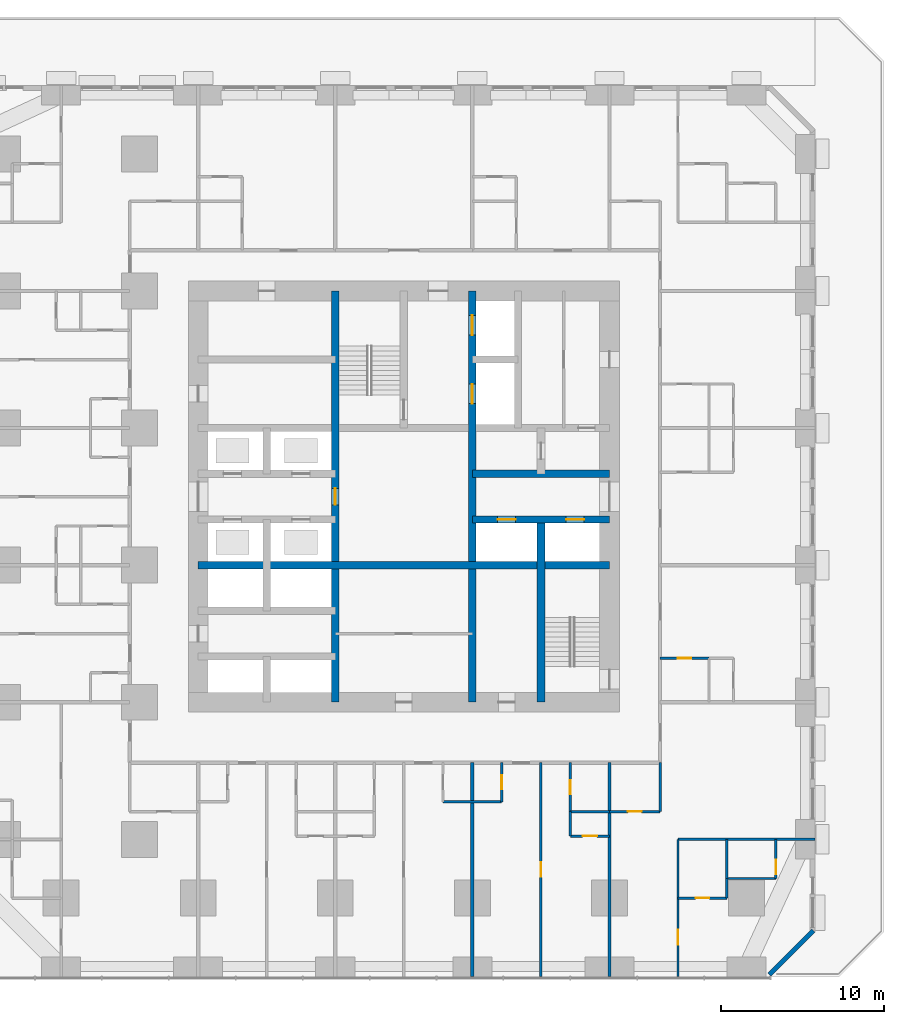
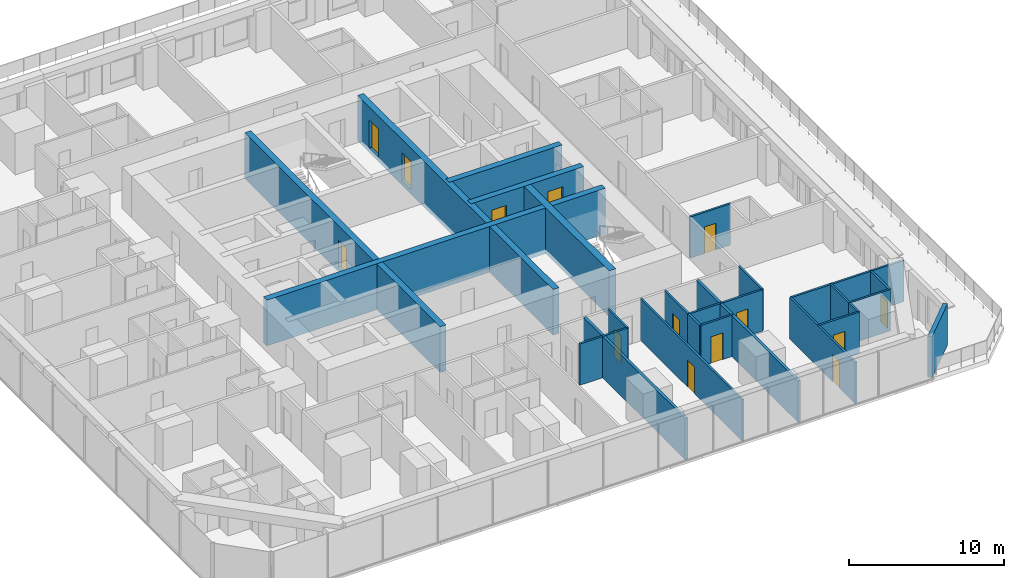
# One storey, part 9 of 16: 26 walls, 14 doors, 14 openings.
"""IFC4 building model written with IfcOpenShell, lengths in metres."""

import ifcopenshell
import ifcopenshell.guid

model = None  # the IFC model being written
_history = None  # IfcOwnerHistory: only IFC2X3 demands one
_inside = {}  # id of a spatial element -> (the spatial element, [elements in it])
_under = {}  # id of a project, library or spatial element -> (it, [spatial elements below it])
_declared = {}  # id of a project -> (the project, [libraries it declares])
_typed = {}  # id of a type object -> (the type object, [elements of that type])
_made_of = {}  # id of a material, layer set ... -> (it, [elements and type objects made of it])


def new_model(schema):
    """Start an empty IFC model of exactly this schema.

    Asked for "IFC4X3", IfcOpenShell would pick the latest addendum, in which some entities
    have other attributes; the version numbers below select the first issue.
    IFC2X3 requires an IfcOwnerHistory on every rooted entity: one is made here for all.
    """
    global model, _history
    if schema == "IFC4X3":
        model = ifcopenshell.file(schema_version=(4, 3, 0, 0))
    else:
        model = ifcopenshell.file(schema=schema)
    _inside.clear()
    _under.clear()
    _declared.clear()
    _typed.clear()
    _made_of.clear()
    _history = None
    if model.schema == "IFC2X3":
        org = make("IfcOrganization", Name="unknown")
        user = make(
            "IfcPersonAndOrganization",
            ThePerson=make("IfcPerson", FamilyName="unknown"),
            TheOrganization=org,
        )
        app = make(
            "IfcApplication",
            ApplicationDeveloper=org,
            Version="unknown",
            ApplicationFullName="unknown",
            ApplicationIdentifier="unknown",
        )
        _history = make(
            "IfcOwnerHistory",
            OwningUser=user,
            OwningApplication=app,
            ChangeAction="ADDED",
            CreationDate=0,
        )
    return model


def make(cls, **values):
    """One entity of the class cls with the attributes given. An attribute that is None is left unset."""
    return model.create_entity(
        cls, **{name: value for name, value in values.items() if value is not None}
    )


def rooted(cls, **values):
    """An entity with a GlobalId (a new one), such as an element, a storey or a relation."""
    return make(cls, GlobalId=ifcopenshell.guid.new(), OwnerHistory=_history, **values)


def si_unit(unit_type, name, prefix=None):
    """IfcSIUnit, for example si_unit("LENGTHUNIT", "METRE", prefix="MILLI")."""
    return make("IfcSIUnit", UnitType=unit_type, Prefix=prefix, Name=name)


def assignment(units):
    """IfcUnitAssignment: the units of a project."""
    return None if units is None else make("IfcUnitAssignment", Units=units)


def point(xyz):
    """IfcCartesianPoint."""
    return None if xyz is None else make("IfcCartesianPoint", Coordinates=xyz)


def direction(xyz):
    """IfcDirection."""
    return None if xyz is None else make("IfcDirection", DirectionRatios=xyz)


def frame(location, z_axis=None, x_axis=None):
    """IfcAxis2Placement3D, a coordinate frame: its origin and axes. An axis left out is left unset."""
    return make(
        "IfcAxis2Placement3D",
        Location=point(location),
        Axis=direction(z_axis),
        RefDirection=direction(x_axis),
    )


def frame_2d(location, x_axis=None):
    """IfcAxis2Placement2D, a coordinate frame in the plane: its origin and x axis."""
    return make(
        "IfcAxis2Placement2D", Location=point(location), RefDirection=direction(x_axis)
    )


def origin():
    """The frame at (0, 0, 0) with its axes left unset."""
    return frame((0.0, 0.0, 0.0))


def place(relative_to, where):
    """IfcLocalPlacement: puts the frame where relative to a parent placement (None: the world)."""
    return make(
        "IfcLocalPlacement", PlacementRelTo=relative_to, RelativePlacement=where
    )


def context(
    kind, dimensions, precision=None, world=None, true_north=None, identifier=None
):
    """IfcGeometricRepresentationContext, for example the 3D "Model" context."""
    return make(
        "IfcGeometricRepresentationContext",
        ContextIdentifier=identifier,
        ContextType=kind,
        CoordinateSpaceDimension=dimensions,
        Precision=precision,
        WorldCoordinateSystem=world,
        TrueNorth=true_north,
    )


def subcontext(parent, identifier, kind, view, scale=None):
    """IfcGeometricRepresentationSubContext, for example "Body" below "Model"."""
    return make(
        "IfcGeometricRepresentationSubContext",
        ContextIdentifier=identifier,
        ContextType=kind,
        ParentContext=parent,
        TargetScale=scale,
        TargetView=view,
    )


def project(units=None, contexts=None):
    """IfcProject with its units and contexts."""
    return rooted(
        "IfcProject",
        Name="project",
        RepresentationContexts=contexts,
        UnitsInContext=assignment(units),
    )


def spatial(cls, under=None, at=None, **own):
    """A site, building, storey or space (cls), placed at a placement, below another one or the project."""
    s = rooted(cls, ObjectPlacement=at, **own)
    if under is not None:
        _under.setdefault(under.id(), (under, []))[1].append(s)
    return s


def profile(cls, at=None, kind="AREA", **sizes):
    """A parametric profile (cls). Its sizes go by their IFC names, for example OverallWidth=200.0."""
    return make(cls, ProfileType=kind, Position=at, **sizes)


def rectangle(**sizes):
    """IfcRectangleProfileDef."""
    return profile("IfcRectangleProfileDef", **sizes)


def extrude(swept, where, along, depth):
    """IfcExtrudedAreaSolid: the profile swept, set in the frame where, extruded along a direction by depth."""
    return make(
        "IfcExtrudedAreaSolid",
        SweptArea=swept,
        Position=where,
        ExtrudedDirection=direction(along),
        Depth=depth,
    )


def shape(context_of_items, identifier, shape_type, items):
    """IfcShapeRepresentation: the items that make up one representation, for example the "Body"."""
    return make(
        "IfcShapeRepresentation",
        ContextOfItems=context_of_items,
        RepresentationIdentifier=identifier,
        RepresentationType=shape_type,
        Items=items,
    )


def material(Name=None, Category=None):
    """IfcMaterial."""
    return make("IfcMaterial", Name=Name, Category=Category)


def layer(
    of_material, thickness, ventilated=None, Name=None, Category=None, Priority=None
):
    """IfcMaterialLayer: one layer of a wall or slab, of a material (None: an air gap)."""
    return make(
        "IfcMaterialLayer",
        Material=of_material,
        LayerThickness=thickness,
        IsVentilated=ventilated,
        Name=Name,
        Category=Category,
        Priority=Priority,
    )


def layer_set(layers, Name=None):
    """IfcMaterialLayerSet."""
    return make("IfcMaterialLayerSet", MaterialLayers=layers, LayerSetName=Name)


def made_of(thing, what):
    """Note that an element or type object is made of a material, layer set ...; save() writes the relation."""
    if what is not None:
        _made_of.setdefault(what.id(), (what, []))[1].append(thing)
    return thing


def type_object(cls, material=None, **own):
    """A type object (cls), such as IfcWallType, which elements share."""
    return made_of(rooted(cls, **own), material)


def element(
    cls,
    number,
    at=None,
    inside=None,
    cuts=None,
    type_object=None,
    material=None,
    context=None,
    identifier="Body",
    shape_type=None,
    held_by="IfcProductDefinitionShape",
    body=None,
    shapes=None,
    **own,
):
    """One element of the class cls, such as IfcWall. Its Tag is "e" and its number.

    at: its placement. inside: the storey or other place that contains it. cuts: it is an
    opening in that element (IfcRelVoidsElement). A single representation is given by context,
    identifier, shape_type and body (its items); several are given by shapes. held_by: the class
    of the entity that holds the representations. save() writes the other relations.
    """
    e = rooted(cls, Tag="e%d" % number, ObjectPlacement=at, **own)
    if body is not None:
        shapes = [shape(context, identifier, shape_type, body)]
    if shapes is not None:
        e.Representation = make(held_by, Representations=shapes)
    if inside is not None:
        _inside.setdefault(inside.id(), (inside, []))[1].append(e)
    if cuts is not None:
        rooted(
            "IfcRelVoidsElement", RelatingBuildingElement=cuts, RelatedOpeningElement=e
        )
    if type_object is not None:
        _typed.setdefault(type_object.id(), (type_object, []))[1].append(e)
    return made_of(e, material)


def fill(opening, filler):
    """IfcRelFillsElement: the door or window that sits in an opening."""
    return rooted(
        "IfcRelFillsElement",
        RelatingOpeningElement=opening,
        RelatedBuildingElement=filler,
    )


def aggregate(whole, parts):
    """IfcRelAggregates: a whole, such as a stair, and the parts it consists of."""
    return rooted("IfcRelAggregates", RelatingObject=whole, RelatedObjects=parts)


def save(model, path):
    """Write the relations noted so far, then the file.

    IfcRelAggregates (storeys below a building ...), IfcRelContainedInSpatialStructure (elements
    in a storey), IfcRelDefinesByType, IfcRelAssociatesMaterial and IfcRelDeclares: one each for
    every whole, place, type object, material and project.
    """
    for whole, parts in _under.values():
        aggregate(whole, parts)
    for where, things in _inside.values():
        rooted(
            "IfcRelContainedInSpatialStructure",
            RelatedElements=things,
            RelatingStructure=where,
        )
    for kind, things in _typed.values():
        rooted("IfcRelDefinesByType", RelatedObjects=things, RelatingType=kind)
    for what, things in _made_of.values():
        rooted("IfcRelAssociatesMaterial", RelatedObjects=things, RelatingMaterial=what)
    for by, libraries in _declared.values():
        rooted("IfcRelDeclares", RelatingContext=by, RelatedDefinitions=libraries)
    model.write(path)


model = new_model("IFC4")

# Units and contexts
model_context = context("Model", 3, precision=1e-05, world=origin(), true_north=direction((0.0, 1.0)))
body_context = subcontext(model_context, "Body", "Model", "MODEL_VIEW")
ifc_project = project(units=[si_unit("LENGTHUNIT", "METRE"), si_unit("AREAUNIT", "SQUARE_METRE"), si_unit("VOLUMEUNIT", "CUBIC_METRE"), si_unit("PLANEANGLEUNIT", "RADIAN"), si_unit("MASSUNIT", "GRAM", prefix="KILO")], contexts=[model_context])

# Site, building, storey
site_placement = place(None, origin())
site = spatial("IfcSite", under=ifc_project, at=site_placement, CompositionType="ELEMENT")
building_placement = place(site_placement, origin())
building = spatial("IfcBuilding", under=site, at=building_placement, Name="Dunama Terrace Hotel", CompositionType="ELEMENT")
storey_placement = place(building_placement, frame((0.0, 0.0, 93.60009765625)))
storey = spatial("IfcBuildingStorey", under=building, at=storey_placement, Name="L23", CompositionType="ELEMENT", Elevation=93.60009765625)

# Wall, opening, door
ifc_material_1 = material(Name="Gypsum board partition", Category="masonry")
ifc_layer_1 = layer(ifc_material_1, 0.14990234375)
ifc_layer_set_1 = layer_set([ifc_layer_1], Name="Bathroom partition 150")
wall_type_1 = type_object("IfcWallType", Name="Bathroom partition 150", PredefinedType="PARTITIONING", material=ifc_layer_set_1)
wall_1_placement = place(storey_placement, frame((35.39990234375, 10.699951171875, 0.0), z_axis=(0.0, 0.0, 1.0), x_axis=(0.0, 1.0, 0.0)))
wall_1 = element("IfcWall", 1, at=wall_1_placement, inside=storey, type_object=wall_type_1, Name="Bathroom partition 150 L23", PredefinedType="PARTITIONING", context=body_context, shape_type="SweptSolid", body=[
    extrude(rectangle(XDim=2.400146484375, YDim=0.14990234375, at=frame_2d((1.2001953125, 0.0))), origin(), (0.0, 0.0, 1.0), 3.25),
])
opening_1_placement = place(wall_1_placement, frame((0.77490234375, 0.0, 0.0)))
opening_1 = element("IfcOpeningElement", 2, at=opening_1_placement, cuts=wall_1, Name="Opening L23-036", PredefinedType="OPENING", context=body_context, shape_type="SweptSolid", body=[
    extrude(rectangle(XDim=0.85009765625, YDim=2.10009765625, at=frame_2d((0.425048828125, 1.050048828125))), frame((0.0, 0.0849609375, 0.0), z_axis=(0.0, -1.0, 0.0), x_axis=(1.0, 0.0, 0.0)), (0.0, 0.0, 1.0), 0.169921875),
])
ifc_material_2 = material(Name="Timber door with steel frame", Category="steel")
door_type_1 = type_object("IfcDoorType", Name="Bathroom door 850", OperationType="SINGLE_SWING_LEFT", PredefinedType="DOOR", material=ifc_material_2)
door_1_placement = place(opening_1_placement, origin())
door_1 = element("IfcDoor", 3, at=door_1_placement, inside=storey, type_object=door_type_1, Name="Door to powder room L23-036, type D2", OperationType="SINGLE_SWING_RIGHT", OverallHeight=2.10009765625, OverallWidth=0.85009765625, PredefinedType="DOOR", context=body_context, shape_type="SweptSolid", body=[
    extrude(rectangle(XDim=0.85009765625, YDim=2.10009765625, at=frame_2d((0.425048828125, 1.050048828125))), frame((0.0, 0.02490234375, 0.0), z_axis=(0.0, -1.0, 0.0), x_axis=(1.0, 0.0, 0.0)), (0.0, 0.0, 1.0), 0.050048828125),
])
fill(opening_1, door_1)

wall_2_placement = place(storey_placement, frame((39.60009765625, 10.10009765625, 0.0), z_axis=(0.0, 0.0, 1.0), x_axis=(0.0, 1.0, 0.0)))
wall_2 = element("IfcWall", 4, at=wall_2_placement, inside=storey, type_object=wall_type_1, Name="Bathroom partition 150 L23", PredefinedType="PARTITIONING", context=body_context, shape_type="SweptSolid", body=[
    extrude(rectangle(XDim=3.0, YDim=0.14990234375, at=frame_2d((1.5, 0.0))), origin(), (0.0, 0.0, 1.0), 3.25),
])
opening_2_placement = place(wall_2_placement, frame((1.074951171875, 0.0, 0.0)))
opening_2 = element("IfcOpeningElement", 5, at=opening_2_placement, cuts=wall_2, Name="Opening L23-038", PredefinedType="OPENING", context=body_context, shape_type="SweptSolid", body=[
    extrude(rectangle(XDim=0.85009765625, YDim=2.10009765625, at=frame_2d((0.425048828125, 1.050048828125))), frame((0.0, 0.0849609375, 0.0), z_axis=(0.0, -1.0, 0.0), x_axis=(1.0, 0.0, 0.0)), (0.0, 0.0, 1.0), 0.169921875),
])
door_2_placement = place(opening_2_placement, frame((0.85009765625, 0.0, 0.0), z_axis=(0.0, 0.0, 1.0), x_axis=(-1.0, 0.0, 0.0)))
door_2 = element("IfcDoor", 6, at=door_2_placement, inside=storey, type_object=door_type_1, Name="Door to en-suite bathroom L23-038, type D2", OperationType="SINGLE_SWING_LEFT", OverallHeight=2.10009765625, OverallWidth=0.85009765625, PredefinedType="DOOR", context=body_context, shape_type="SweptSolid", body=[
    extrude(rectangle(XDim=0.85009765625, YDim=2.10009765625, at=frame_2d((0.425048828125, 1.050048828125))), frame((0.0, 0.025146484375, 0.0), z_axis=(0.0, -1.0, 0.0), x_axis=(1.0, 0.0, 0.0)), (0.0, 0.0, 1.0), 0.050048828125),
])
fill(opening_2, door_2)

# Walls
wall_3_placement = place(storey_placement, frame((45.10009765625, 10.10009765625, 0.0), z_axis=(0.0, 0.0, 1.0), x_axis=(0.0, 1.0, 0.0)))
element("IfcWall", 7, at=wall_3_placement, inside=storey, type_object=wall_type_1, Name="Bathroom partition 150 L23", PredefinedType="PARTITIONING", context=body_context, shape_type="SweptSolid", body=[
    extrude(rectangle(XDim=3.0, YDim=0.14990234375, at=frame_2d((1.5, 0.0))), origin(), (0.0, 0.0, 1.0), 3.25),
])
wall_4_placement = place(storey_placement, frame((49.199951171875, 4.800048828125, 0.0), z_axis=(0.0, 0.0, 1.0), x_axis=(0.0, 1.0, 0.0)))
element("IfcWall", 8, at=wall_4_placement, inside=storey, type_object=wall_type_1, Name="Bathroom partition 150 L23", PredefinedType="PARTITIONING", context=body_context, shape_type="SweptSolid", body=[
    extrude(rectangle(XDim=1.199951171875, YDim=0.14990234375, at=frame_2d((0.60009765625, 0.0))), origin(), (0.0, 0.0, 1.0), 3.25),
])

# Wall, opening, door
wall_5_placement = place(storey_placement, frame((46.199951171875, 4.800048828125, 0.0), z_axis=(0.0, 0.0, 1.0), x_axis=(1.0, 0.0, 0.0)))
wall_5 = element("IfcWall", 9, at=wall_5_placement, inside=storey, type_object=wall_type_1, Name="Bathroom partition 150 L23", PredefinedType="PARTITIONING", context=body_context, shape_type="SweptSolid", body=[
    extrude(rectangle(XDim=3.0, YDim=0.14990234375, at=frame_2d((1.5, 0.0))), origin(), (0.0, 0.0, 1.0), 3.25),
])
opening_3_placement = place(wall_5_placement, frame((1.074951171875, 0.0, 0.0)))
opening_3 = element("IfcOpeningElement", 10, at=opening_3_placement, cuts=wall_5, Name="Opening L23-080", PredefinedType="OPENING", context=body_context, shape_type="SweptSolid", body=[
    extrude(rectangle(XDim=0.85009765625, YDim=2.10009765625, at=frame_2d((0.425048828125, 1.050048828125))), frame((0.0, 0.0849609375, 0.0), z_axis=(0.0, -1.0, 0.0), x_axis=(1.0, 0.0, 0.0)), (0.0, 0.0, 1.0), 0.169921875),
])
door_3_placement = place(opening_3_placement, origin())
door_3 = element("IfcDoor", 11, at=door_3_placement, inside=storey, type_object=door_type_1, Name="Door to en-suite bathroom L23-080, type D2", OperationType="SINGLE_SWING_RIGHT", OverallHeight=2.10009765625, OverallWidth=0.85009765625, PredefinedType="DOOR", context=body_context, shape_type="SweptSolid", body=[
    extrude(rectangle(XDim=0.85009765625, YDim=2.10009765625, at=frame_2d((0.425048828125, 1.050048828125))), frame((0.0, 0.02490234375, 0.0), z_axis=(0.0, -1.0, 0.0), x_axis=(1.0, 0.0, 0.0)), (0.0, 0.0, 1.0), 0.050048828125),
])
fill(opening_3, door_3)

wall_6_placement = place(storey_placement, frame((42.0, 10.10009765625, 0.0), z_axis=(0.0, 0.0, 1.0), x_axis=(1.0, 0.0, 0.0)))
wall_6 = element("IfcWall", 12, at=wall_6_placement, inside=storey, type_object=wall_type_1, Name="Bathroom partition 150 L23", PredefinedType="PARTITIONING", context=body_context, shape_type="SweptSolid", body=[
    extrude(rectangle(XDim=3.10009765625, YDim=0.14990234375, at=frame_2d((1.550048828125, 0.0))), origin(), (0.0, 0.0, 1.0), 3.25),
])
opening_4_placement = place(wall_6_placement, frame((1.125, 0.0, 0.0)))
opening_4 = element("IfcOpeningElement", 13, at=opening_4_placement, cuts=wall_6, Name="Opening L23-078", PredefinedType="OPENING", context=body_context, shape_type="SweptSolid", body=[
    extrude(rectangle(XDim=0.85009765625, YDim=2.10009765625, at=frame_2d((0.425048828125, 1.050048828125))), frame((0.0, 0.0849609375, 0.0), z_axis=(0.0, -1.0, 0.0), x_axis=(1.0, 0.0, 0.0)), (0.0, 0.0, 1.0), 0.169921875),
])
door_4_placement = place(opening_4_placement, origin())
door_4 = element("IfcDoor", 14, at=door_4_placement, inside=storey, type_object=door_type_1, Name="Door to powder room L23-078, type D2", OperationType="SINGLE_SWING_LEFT", OverallHeight=2.10009765625, OverallWidth=0.85009765625, PredefinedType="DOOR", context=body_context, shape_type="SweptSolid", body=[
    extrude(rectangle(XDim=0.85009765625, YDim=2.10009765625, at=frame_2d((0.425048828125, 1.050048828125))), frame((0.0, 0.02490234375, 0.0), z_axis=(0.0, -1.0, 0.0), x_axis=(1.0, 0.0, 0.0)), (0.0, 0.0, 1.0), 0.050048828125),
])
fill(opening_4, door_4)

# Wall
wall_7_placement = place(storey_placement, frame((31.800048828125, 10.699951171875, 0.0), z_axis=(0.0, 0.0, 1.0), x_axis=(1.0, 0.0, 0.0)))
element("IfcWall", 15, at=wall_7_placement, inside=storey, type_object=wall_type_1, Name="Bathroom partition 150 L23", PredefinedType="PARTITIONING", context=body_context, shape_type="SweptSolid", body=[
    extrude(rectangle(XDim=3.599853515625, YDim=0.14990234375, at=frame_2d((1.7998046875, 0.0))), origin(), (0.0, 0.0, 1.0), 3.25),
])

# Wall, opening, door
wall_8_placement = place(storey_placement, frame((45.10009765625, 19.5, 0.0), z_axis=(0.0, 0.0, 1.0), x_axis=(1.0, 0.0, 0.0)))
wall_8 = element("IfcWall", 16, at=wall_8_placement, inside=storey, type_object=wall_type_1, Name="Bathroom partition 150 L23", PredefinedType="PARTITIONING", context=body_context, shape_type="SweptSolid", body=[
    extrude(rectangle(XDim=3.0, YDim=0.14990234375, at=frame_2d((1.5, 0.0))), origin(), (0.0, 0.0, 1.0), 3.25),
])
opening_5_placement = place(wall_8_placement, frame((1.074951171875, 0.0, 0.0)))
opening_5 = element("IfcOpeningElement", 17, at=opening_5_placement, cuts=wall_8, Name="Opening L23-041", PredefinedType="OPENING", context=body_context, shape_type="SweptSolid", body=[
    extrude(rectangle(XDim=0.85009765625, YDim=2.10009765625, at=frame_2d((0.425048828125, 1.050048828125))), frame((0.0, 0.0849609375, 0.0), z_axis=(0.0, -1.0, 0.0), x_axis=(1.0, 0.0, 0.0)), (0.0, 0.0, 1.0), 0.169921875),
])
door_5_placement = place(opening_5_placement, frame((0.85009765625, 0.0, 0.0), z_axis=(0.0, 0.0, 1.0), x_axis=(-1.0, 0.0, 0.0)))
door_5 = element("IfcDoor", 18, at=door_5_placement, inside=storey, type_object=door_type_1, Name="Door to en-suite bathroom L23-041, type D2", OperationType="SINGLE_SWING_RIGHT", OverallHeight=2.10009765625, OverallWidth=0.85009765625, PredefinedType="DOOR", context=body_context, shape_type="SweptSolid", body=[
    extrude(rectangle(XDim=0.85009765625, YDim=2.10009765625, at=frame_2d((0.425048828125, 1.050048828125))), frame((0.0, 0.025146484375, 0.0), z_axis=(0.0, -1.0, 0.0), x_axis=(1.0, 0.0, 0.0)), (0.0, 0.0, 1.0), 0.050048828125),
])
fill(opening_5, door_5)

ifc_material_3 = material(Name="Concrete C50/60", Category="concrete")
ifc_layer_2 = layer(ifc_material_3, 0.449951171875)
ifc_layer_set_2 = layer_set([ifc_layer_2], Name="Core inner wall 450")
wall_type_2 = type_object("IfcWallType", Name="Core inner wall 450", PredefinedType="SHEAR", material=ifc_layer_set_2)
wall_9_placement = place(storey_placement, frame((25.199951171875, 16.800048828125, -0.35009765625), z_axis=(0.0, 0.0, 1.0), x_axis=(0.0, 1.0, 0.0)))
wall_9 = element("IfcWall", 19, at=wall_9_placement, inside=storey, type_object=wall_type_2, Name="Core inner wall 450 L23", PredefinedType="SHEAR", context=body_context, shape_type="SweptSolid", body=[
    extrude(rectangle(XDim=25.199951171875, YDim=0.449951171875, at=frame_2d((12.60009765625, 0.0))), origin(), (0.0, 0.0, 1.0), 3.60009765625),
])
opening_6_placement = place(wall_9_placement, frame((12.10009765625, 0.0, 0.35009765625)))
opening_6 = element("IfcOpeningElement", 20, at=opening_6_placement, cuts=wall_9, Name="Opening L23-096", PredefinedType="OPENING", context=body_context, shape_type="SweptSolid", body=[
    extrude(rectangle(XDim=1.0, YDim=2.10009765625, at=frame_2d((0.5, 1.050048828125))), frame((0.0, 0.23486328125, 0.0), z_axis=(0.0, -1.0, 0.0), x_axis=(1.0, 0.0, 0.0)), (0.0, 0.0, 1.0), 0.469970703125),
])
ifc_material_4 = material(Name="Timber door with steel frame", Category="steel")
door_type_2 = type_object("IfcDoorType", Name="Service door 1000", OperationType="SINGLE_SWING_LEFT", PredefinedType="DOOR", material=ifc_material_4)
door_6_placement = place(opening_6_placement, frame((1.0, 0.0, 0.0), z_axis=(0.0, 0.0, 1.0), x_axis=(-1.0, 0.0, 0.0)))
door_6 = element("IfcDoor", 21, at=door_6_placement, inside=storey, type_object=door_type_2, Name="Door to guest pantry L23-096, type D7", OperationType="SINGLE_SWING_RIGHT", OverallHeight=2.10009765625, OverallWidth=1.0, PredefinedType="DOOR", context=body_context, shape_type="SweptSolid", body=[
    extrude(rectangle(XDim=1.0, YDim=2.10009765625, at=frame_2d((0.5, 1.050048828125))), frame((0.0, 0.025146484375, 0.0), z_axis=(0.0, -1.0, 0.0), x_axis=(1.0, 0.0, 0.0)), (0.0, 0.0, 1.0), 0.050048828125),
])
fill(opening_6, door_6)

# Wall, openings, doors
wall_10_placement = place(storey_placement, frame((33.60009765625, 16.800048828125, -0.35009765625), z_axis=(0.0, 0.0, 1.0), x_axis=(0.0, 1.0, 0.0)))
wall_10 = element("IfcWall", 22, at=wall_10_placement, inside=storey, type_object=wall_type_2, Name="Core inner wall 450 L23", PredefinedType="SHEAR", context=body_context, shape_type="SweptSolid", body=[
    extrude(rectangle(XDim=25.199951171875, YDim=0.449951171875, at=frame_2d((12.60009765625, 0.0))), origin(), (0.0, 0.0, 1.0), 3.60009765625),
])
opening_7_placement = place(wall_10_placement, frame((22.5, 0.0, 0.35009765625)))
opening_7 = element("IfcOpeningElement", 23, at=opening_7_placement, cuts=wall_10, Name="Opening L23-023", PredefinedType="OPENING", context=body_context, shape_type="SweptSolid", body=[
    extrude(rectangle(XDim=1.199951171875, YDim=2.199951171875, at=frame_2d((0.60009765625, 1.10009765625))), frame((0.0, 0.23486328125, 0.0), z_axis=(0.0, -1.0, 0.0), x_axis=(1.0, 0.0, 0.0)), (0.0, 0.0, 1.0), 0.469970703125),
])
opening_8_placement = place(wall_10_placement, frame((18.300048828125, 0.0, 0.35009765625)))
opening_8 = element("IfcOpeningElement", 24, at=opening_8_placement, cuts=wall_10, Name="Opening L23-024", PredefinedType="OPENING", context=body_context, shape_type="SweptSolid", body=[
    extrude(rectangle(XDim=1.199951171875, YDim=2.199951171875, at=frame_2d((0.60009765625, 1.10009765625))), frame((0.0, 0.23486328125, 0.0), z_axis=(0.0, -1.0, 0.0), x_axis=(1.0, 0.0, 0.0)), (0.0, 0.0, 1.0), 0.469970703125),
])
ifc_material_5 = material(Name="Stainless steel lift door", Category="steel")
door_type_3 = type_object("IfcDoorType", Name="Firefighting lift landing door 1200", OperationType="DOUBLE_DOOR_SLIDING", PredefinedType="DOOR", material=ifc_material_5)
door_7_placement = place(opening_7_placement, origin())
door_7 = element("IfcDoor", 25, at=door_7_placement, inside=storey, type_object=door_type_3, Name="Landing door FL1 L23-023, type LD2", OperationType="DOUBLE_DOOR_SLIDING", OverallHeight=2.199951171875, OverallWidth=1.199951171875, PredefinedType="DOOR", context=body_context, shape_type="SweptSolid", body=[
    extrude(rectangle(XDim=1.199951171875, YDim=2.199951171875, at=frame_2d((0.60009765625, 1.10009765625))), frame((0.0, 0.02490234375, 0.0), z_axis=(0.0, -1.0, 0.0), x_axis=(1.0, 0.0, 0.0)), (0.0, 0.0, 1.0), 0.050048828125),
])
fill(opening_7, door_7)
door_8_placement = place(opening_8_placement, origin())
door_8 = element("IfcDoor", 26, at=door_8_placement, inside=storey, type_object=door_type_3, Name="Landing door FL2 L23-024, type LD2", OperationType="DOUBLE_DOOR_SLIDING", OverallHeight=2.199951171875, OverallWidth=1.199951171875, PredefinedType="DOOR", context=body_context, shape_type="SweptSolid", body=[
    extrude(rectangle(XDim=1.199951171875, YDim=2.199951171875, at=frame_2d((0.60009765625, 1.10009765625))), frame((0.0, 0.02490234375, 0.0), z_axis=(0.0, -1.0, 0.0), x_axis=(1.0, 0.0, 0.0)), (0.0, 0.0, 1.0), 0.050048828125),
])
fill(opening_8, door_8)

# Wall
wall_11_placement = place(storey_placement, frame((16.800048828125, 25.199951171875, -0.35009765625), z_axis=(0.0, 0.0, 1.0), x_axis=(1.0, 0.0, 0.0)))
element("IfcWall", 27, at=wall_11_placement, inside=storey, type_object=wall_type_2, Name="Core inner wall 450 L23", PredefinedType="SHEAR", context=body_context, shape_type="SweptSolid", body=[
    extrude(rectangle(XDim=25.199951171875, YDim=0.449951171875, at=frame_2d((12.60009765625, 0.0))), origin(), (0.0, 0.0, 1.0), 3.60009765625),
])

# Wall, openings, doors
wall_12_placement = place(storey_placement, frame((33.60009765625, 28.0, -0.35009765625), z_axis=(0.0, 0.0, 1.0), x_axis=(1.0, 0.0, 0.0)))
wall_12 = element("IfcWall", 28, at=wall_12_placement, inside=storey, type_object=wall_type_2, Name="Core inner wall 450 L23", PredefinedType="SHEAR", context=body_context, shape_type="SweptSolid", body=[
    extrude(rectangle(XDim=8.39990234375, YDim=0.449951171875, at=frame_2d((4.199951171875, 0.0))), origin(), (0.0, 0.0, 1.0), 3.60009765625),
])
opening_9_placement = place(wall_12_placement, frame((1.550048828125, 0.0, 0.35009765625)))
opening_9 = element("IfcOpeningElement", 29, at=opening_9_placement, cuts=wall_12, Name="Opening L23-017", PredefinedType="OPENING", context=body_context, shape_type="SweptSolid", body=[
    extrude(rectangle(XDim=1.10009765625, YDim=2.199951171875, at=frame_2d((0.550048828125, 1.10009765625))), frame((0.0, 0.23486328125, 0.0), z_axis=(0.0, -1.0, 0.0), x_axis=(1.0, 0.0, 0.0)), (0.0, 0.0, 1.0), 0.469970703125),
])
opening_10_placement = place(wall_12_placement, frame((5.75, 0.0, 0.35009765625)))
opening_10 = element("IfcOpeningElement", 30, at=opening_10_placement, cuts=wall_12, Name="Opening L23-018", PredefinedType="OPENING", context=body_context, shape_type="SweptSolid", body=[
    extrude(rectangle(XDim=1.10009765625, YDim=2.199951171875, at=frame_2d((0.550048828125, 1.10009765625))), frame((0.0, 0.23486328125, 0.0), z_axis=(0.0, -1.0, 0.0), x_axis=(1.0, 0.0, 0.0)), (0.0, 0.0, 1.0), 0.469970703125),
])
ifc_material_6 = material(Name="Stainless steel lift door", Category="steel")
door_type_4 = type_object("IfcDoorType", Name="Lift landing door 1100", OperationType="DOUBLE_DOOR_SLIDING", PredefinedType="DOOR", material=ifc_material_6)
door_9_placement = place(opening_9_placement, origin())
door_9 = element("IfcDoor", 31, at=door_9_placement, inside=storey, type_object=door_type_4, Name="Landing door PB1 L23-017, type LD1", OperationType="DOUBLE_DOOR_SLIDING", OverallHeight=2.199951171875, OverallWidth=1.10009765625, PredefinedType="DOOR", context=body_context, shape_type="SweptSolid", body=[
    extrude(rectangle(XDim=1.10009765625, YDim=2.199951171875, at=frame_2d((0.550048828125, 1.10009765625))), frame((0.0, 0.02490234375, 0.0), z_axis=(0.0, -1.0, 0.0), x_axis=(1.0, 0.0, 0.0)), (0.0, 0.0, 1.0), 0.050048828125),
])
fill(opening_9, door_9)
door_10_placement = place(opening_10_placement, origin())
door_10 = element("IfcDoor", 32, at=door_10_placement, inside=storey, type_object=door_type_4, Name="Landing door PB2 L23-018, type LD1", OperationType="DOUBLE_DOOR_SLIDING", OverallHeight=2.199951171875, OverallWidth=1.10009765625, PredefinedType="DOOR", context=body_context, shape_type="SweptSolid", body=[
    extrude(rectangle(XDim=1.10009765625, YDim=2.199951171875, at=frame_2d((0.550048828125, 1.10009765625))), frame((0.0, 0.02490234375, 0.0), z_axis=(0.0, -1.0, 0.0), x_axis=(1.0, 0.0, 0.0)), (0.0, 0.0, 1.0), 0.050048828125),
])
fill(opening_10, door_10)

# Walls
wall_13_placement = place(storey_placement, frame((33.60009765625, 30.800048828125, -0.35009765625), z_axis=(0.0, 0.0, 1.0), x_axis=(1.0, 0.0, 0.0)))
element("IfcWall", 33, at=wall_13_placement, inside=storey, type_object=wall_type_2, Name="Core inner wall 450 L23", PredefinedType="SHEAR", context=body_context, shape_type="SweptSolid", body=[
    extrude(rectangle(XDim=8.39990234375, YDim=0.449951171875, at=frame_2d((4.199951171875, 0.0))), origin(), (0.0, 0.0, 1.0), 3.60009765625),
])
ifc_material_7 = material(Name="Concrete C50/60", Category="concrete")
ifc_layer_3 = layer(ifc_material_7, 0.5)
ifc_layer_set_3 = layer_set([ifc_layer_3], Name="Core inner wall 500")
wall_type_3 = type_object("IfcWallType", Name="Core inner wall 500", PredefinedType="SHEAR", material=ifc_layer_set_3)
wall_14_placement = place(storey_placement, frame((37.800048828125, 16.800048828125, -0.35009765625), z_axis=(0.0, 0.0, 1.0), x_axis=(0.0, 1.0, 0.0)))
element("IfcWall", 34, at=wall_14_placement, inside=storey, type_object=wall_type_3, Name="Core inner wall 500 L23", PredefinedType="SHEAR", context=body_context, shape_type="SweptSolid", body=[
    extrude(rectangle(XDim=11.199951171875, YDim=0.5, at=frame_2d((5.60009765625, 0.0))), origin(), (0.0, 0.0, 1.0), 3.60009765625),
])
ifc_material_8 = material(Name="Concrete blockwork", Category="masonry")
ifc_layer_4 = layer(ifc_material_8, 0.199951171875)
ifc_layer_set_4 = layer_set([ifc_layer_4], Name="Party wall 200")
wall_type_4 = type_object("IfcWallType", Name="Party wall 200", PredefinedType="PARTITIONING", material=ifc_layer_set_4)
for number, where, z_axis, x_axis, name in (
    (35, (33.60009765625, -0.01806640625, 0.0), (0.0, 0.0, 1.0), (0.0, 1.0, 0.0), "Party wall 200 L23"),
    (36, (42.0, -0.01806640625, 0.0), (0.0, 0.0, 1.0), (0.0, 1.0, 0.0), "Party wall 200 L23"),
):
    element("IfcWall", number, at=place(storey_placement, frame(where, z_axis=z_axis, x_axis=x_axis)), inside=storey, type_object=wall_type_4, Name=name, PredefinedType="PARTITIONING", context=body_context, shape_type="SweptSolid", body=[
        extrude(rectangle(XDim=13.1181640625, YDim=0.199951171875, at=frame_2d((6.55908203125, 0.0))), origin(), (0.0, 0.0, 1.0), 3.25),
    ])

# Wall, opening, door
ifc_material_9 = material(Name="Gypsum board partition", Category="masonry")
ifc_layer_5 = layer(ifc_material_9, 0.14990234375)
ifc_layer_set_5 = layer_set([ifc_layer_5], Name="Room partition 150")
wall_type_5 = type_object("IfcWallType", Name="Room partition 150", PredefinedType="PARTITIONING", material=ifc_layer_set_5)
wall_15_placement = place(storey_placement, frame((37.800048828125, -0.01806640625, 0.0), z_axis=(0.0, 0.0, 1.0), x_axis=(0.0, 1.0, 0.0)))
wall_15 = element("IfcWall", 37, at=wall_15_placement, inside=storey, type_object=wall_type_5, Name="Room partition 150 L23", PredefinedType="PARTITIONING", context=body_context, shape_type="SweptSolid", body=[
    extrude(rectangle(XDim=13.1181640625, YDim=0.14990234375, at=frame_2d((6.55908203125, 0.0))), origin(), (0.0, 0.0, 1.0), 3.25),
])
opening_11_placement = place(wall_15_placement, frame((6.117919921875, 0.0, 0.0)))
opening_11 = element("IfcOpeningElement", 38, at=opening_11_placement, cuts=wall_15, Name="Opening L23-037", PredefinedType="OPENING", context=body_context, shape_type="SweptSolid", body=[
    extrude(rectangle(XDim=0.89990234375, YDim=2.10009765625, at=frame_2d((0.449951171875, 1.050048828125))), frame((0.0, 0.0849609375, 0.0), z_axis=(0.0, -1.0, 0.0), x_axis=(1.0, 0.0, 0.0)), (0.0, 0.0, 1.0), 0.169921875),
])
ifc_material_10 = material(Name="Timber door with steel frame", Category="steel")
door_type_5 = type_object("IfcDoorType", Name="Suite internal door 900", OperationType="SINGLE_SWING_LEFT", PredefinedType="DOOR", material=ifc_material_10)
door_11_placement = place(opening_11_placement, frame((0.89990234375, 0.0, 0.0), z_axis=(0.0, 0.0, 1.0), x_axis=(-1.0, 0.0, 0.0)))
door_11 = element("IfcDoor", 39, at=door_11_placement, inside=storey, type_object=door_type_5, Name="Door to premier suite bedroom L23-037, type D16", OperationType="SINGLE_SWING_LEFT", OverallHeight=2.10009765625, OverallWidth=0.89990234375, PredefinedType="DOOR", context=body_context, shape_type="SweptSolid", body=[
    extrude(rectangle(XDim=0.89990234375, YDim=2.10009765625, at=frame_2d((0.449951171875, 1.050048828125))), frame((0.0, 0.025146484375, 0.0), z_axis=(0.0, -1.0, 0.0), x_axis=(1.0, 0.0, 0.0)), (0.0, 0.0, 1.0), 0.050048828125),
])
fill(opening_11, door_11)

# Wall
wall_16_placement = place(storey_placement, frame((39.60009765625, 8.60009765625, 0.0), z_axis=(0.0, 0.0, 1.0), x_axis=(0.0, 1.0, 0.0)))
element("IfcWall", 40, at=wall_16_placement, inside=storey, type_object=wall_type_5, Name="Room partition 150 L23", PredefinedType="PARTITIONING", context=body_context, shape_type="SweptSolid", body=[
    extrude(rectangle(XDim=1.5, YDim=0.14990234375, at=frame_2d((0.75, 0.0))), origin(), (0.0, 0.0, 1.0), 3.25),
])

# Wall, opening, door
wall_17_placement = place(storey_placement, frame((46.199951171875, -0.01806640625, 0.0), z_axis=(0.0, 0.0, 1.0), x_axis=(0.0, 1.0, 0.0)))
wall_17 = element("IfcWall", 41, at=wall_17_placement, inside=storey, type_object=wall_type_5, Name="Room partition 150 L23", PredefinedType="PARTITIONING", context=body_context, shape_type="SweptSolid", body=[
    extrude(rectangle(XDim=8.41796875, YDim=0.14990234375, at=frame_2d((4.208984375, 0.0))), origin(), (0.0, 0.0, 1.0), 3.25),
])
opening_12_placement = place(wall_17_placement, frame((1.968017578125, 0.0, 0.0)))
opening_12 = element("IfcOpeningElement", 42, at=opening_12_placement, cuts=wall_17, Name="Opening L23-079", PredefinedType="OPENING", context=body_context, shape_type="SweptSolid", body=[
    extrude(rectangle(XDim=0.89990234375, YDim=2.10009765625, at=frame_2d((0.449951171875, 1.050048828125))), frame((0.0, 0.0849609375, 0.0), z_axis=(0.0, -1.0, 0.0), x_axis=(1.0, 0.0, 0.0)), (0.0, 0.0, 1.0), 0.169921875),
])
door_12_placement = place(opening_12_placement, frame((0.89990234375, 0.0, 0.0), z_axis=(0.0, 0.0, 1.0), x_axis=(-1.0, 0.0, 0.0)))
door_12 = element("IfcDoor", 43, at=door_12_placement, inside=storey, type_object=door_type_5, Name="Door to corner suite bedroom L23-079, type D16", OperationType="SINGLE_SWING_LEFT", OverallHeight=2.10009765625, OverallWidth=0.89990234375, PredefinedType="DOOR", context=body_context, shape_type="SweptSolid", body=[
    extrude(rectangle(XDim=0.89990234375, YDim=2.10009765625, at=frame_2d((0.449951171875, 1.050048828125))), frame((0.0, 0.025146484375, 0.0), z_axis=(0.0, -1.0, 0.0), x_axis=(1.0, 0.0, 0.0)), (0.0, 0.0, 1.0), 0.050048828125),
])
fill(opening_12, door_12)

# Wall
wall_18_placement = place(storey_placement, frame((49.199951171875, 6.0, 0.0), z_axis=(0.0, 0.0, 1.0), x_axis=(0.0, 1.0, 0.0)))
element("IfcWall", 44, at=wall_18_placement, inside=storey, type_object=wall_type_5, Name="Room partition 150 L23", PredefinedType="PARTITIONING", context=body_context, shape_type="SweptSolid", body=[
    extrude(rectangle(XDim=2.39990234375, YDim=0.14990234375, at=frame_2d((1.199951171875, 0.0))), origin(), (0.0, 0.0, 1.0), 3.25),
])

# Wall, opening, door
wall_19_placement = place(storey_placement, frame((52.199951171875, 6.0, 0.0), z_axis=(0.0, 0.0, 1.0), x_axis=(0.0, 1.0, 0.0)))
wall_19 = element("IfcWall", 45, at=wall_19_placement, inside=storey, type_object=wall_type_5, Name="Room partition 150 L23", PredefinedType="PARTITIONING", context=body_context, shape_type="SweptSolid", body=[
    extrude(rectangle(XDim=2.39990234375, YDim=0.14990234375, at=frame_2d((1.199951171875, 0.0))), origin(), (0.0, 0.0, 1.0), 3.25),
])
opening_13_placement = place(wall_19_placement, frame((0.25, 0.0, 0.0)))
opening_13 = element("IfcOpeningElement", 46, at=opening_13_placement, cuts=wall_19, Name="Opening L23-081", PredefinedType="OPENING", context=body_context, shape_type="SweptSolid", body=[
    extrude(rectangle(XDim=0.89990234375, YDim=2.10009765625, at=frame_2d((0.449951171875, 1.050048828125))), frame((0.0, 0.0849609375, 0.0), z_axis=(0.0, -1.0, 0.0), x_axis=(1.0, 0.0, 0.0)), (0.0, 0.0, 1.0), 0.169921875),
])
door_13_placement = place(opening_13_placement, origin())
door_13 = element("IfcDoor", 47, at=door_13_placement, inside=storey, type_object=door_type_5, Name="Door to dressing room L23-081, type D16", OperationType="SINGLE_SWING_LEFT", OverallHeight=2.10009765625, OverallWidth=0.89990234375, PredefinedType="DOOR", context=body_context, shape_type="SweptSolid", body=[
    extrude(rectangle(XDim=0.89990234375, YDim=2.10009765625, at=frame_2d((0.449951171875, 1.050048828125))), frame((0.0, 0.02490234375, 0.0), z_axis=(0.0, -1.0, 0.0), x_axis=(1.0, 0.0, 0.0)), (0.0, 0.0, 1.0), 0.050048828125),
])
fill(opening_13, door_13)

# Walls
wall_20_placement = place(storey_placement, frame((49.199951171875, 6.0, 0.0), z_axis=(0.0, 0.0, 1.0), x_axis=(1.0, 0.0, 0.0)))
element("IfcWall", 48, at=wall_20_placement, inside=storey, type_object=wall_type_5, Name="Room partition 150 L23", PredefinedType="PARTITIONING", context=body_context, shape_type="SweptSolid", body=[
    extrude(rectangle(XDim=3.0, YDim=0.14990234375, at=frame_2d((1.5, 0.0))), origin(), (0.0, 0.0, 1.0), 3.25),
])
wall_21_placement = place(storey_placement, frame((46.199951171875, 8.39990234375, 0.0), z_axis=(0.0, 0.0, 1.0), x_axis=(1.0, 0.0, 0.0)))
element("IfcWall", 49, at=wall_21_placement, inside=storey, type_object=wall_type_5, Name="Room partition 150 L23", PredefinedType="PARTITIONING", context=body_context, shape_type="SweptSolid", body=[
    extrude(rectangle(XDim=8.400146484375, YDim=0.14990234375, at=frame_2d((4.2001953125, 0.0))), origin(), (0.0, 0.0, 1.0), 3.25),
])

# Wall, opening, door
wall_22_placement = place(storey_placement, frame((39.60009765625, 8.60009765625, 0.0), z_axis=(0.0, 0.0, 1.0), x_axis=(1.0, 0.0, 0.0)))
wall_22 = element("IfcWall", 50, at=wall_22_placement, inside=storey, type_object=wall_type_5, Name="Room partition 150 L23", PredefinedType="PARTITIONING", context=body_context, shape_type="SweptSolid", body=[
    extrude(rectangle(XDim=2.39990234375, YDim=0.14990234375, at=frame_2d((1.199951171875, 0.0))), origin(), (0.0, 0.0, 1.0), 3.25),
])
opening_14_placement = place(wall_22_placement, frame((0.75, 0.0, 0.0)))
opening_14 = element("IfcOpeningElement", 51, at=opening_14_placement, cuts=wall_22, Name="Opening L23-039", PredefinedType="OPENING", context=body_context, shape_type="SweptSolid", body=[
    extrude(rectangle(XDim=0.89990234375, YDim=2.10009765625, at=frame_2d((0.449951171875, 1.050048828125))), frame((0.0, 0.0849609375, 0.0), z_axis=(0.0, -1.0, 0.0), x_axis=(1.0, 0.0, 0.0)), (0.0, 0.0, 1.0), 0.169921875),
])
door_14_placement = place(opening_14_placement, origin())
door_14 = element("IfcDoor", 52, at=door_14_placement, inside=storey, type_object=door_type_5, Name="Door to walk-in wardrobe L23-039, type D16", OperationType="SINGLE_SWING_LEFT", OverallHeight=2.10009765625, OverallWidth=0.89990234375, PredefinedType="DOOR", context=body_context, shape_type="SweptSolid", body=[
    extrude(rectangle(XDim=0.89990234375, YDim=2.10009765625, at=frame_2d((0.449951171875, 1.050048828125))), frame((0.0, 0.02490234375, 0.0), z_axis=(0.0, -1.0, 0.0), x_axis=(1.0, 0.0, 0.0)), (0.0, 0.0, 1.0), 0.050048828125),
])
fill(opening_14, door_14)

# Walls
wall_23_placement = place(storey_placement, frame((39.60009765625, 10.10009765625, 0.0), z_axis=(0.0, 0.0, 1.0), x_axis=(1.0, 0.0, 0.0)))
element("IfcWall", 53, at=wall_23_placement, inside=storey, type_object=wall_type_5, Name="Room partition 150 L23", PredefinedType="PARTITIONING", context=body_context, shape_type="SweptSolid", body=[
    extrude(rectangle(XDim=2.39990234375, YDim=0.14990234375, at=frame_2d((1.199951171875, 0.0))), origin(), (0.0, 0.0, 1.0), 3.25),
])
ifc_material_11 = material(Name="Granite-faced concrete blockwork", Category="masonry")
ifc_layer_6 = layer(ifc_material_11, 0.300048828125)
ifc_layer_set_6 = layer_set([ifc_layer_6], Name="Terrace wall 300")
wall_type_6 = type_object("IfcWallType", Name="Terrace wall 300", PredefinedType="SOLIDWALL", material=ifc_layer_set_6)
wall_24_placement = place(storey_placement, frame((51.7939453125, 0.10595703125, 0.0), z_axis=(0.0, 0.0, 1.0), x_axis=(0.707106781187, 0.707106781187, 0.0)))
element("IfcWall", 54, at=wall_24_placement, inside=storey, type_object=wall_type_6, Name="Terrace wall 300 L23", PredefinedType="SOLIDWALL", context=body_context, shape_type="SweptSolid", body=[
    extrude(rectangle(XDim=3.818359375, YDim=0.300048828125, at=frame_2d((1.9091796875, 0.0))), origin(), (0.0, 0.0, 1.0), 3.25),
])

save(model, "model.ifc")
